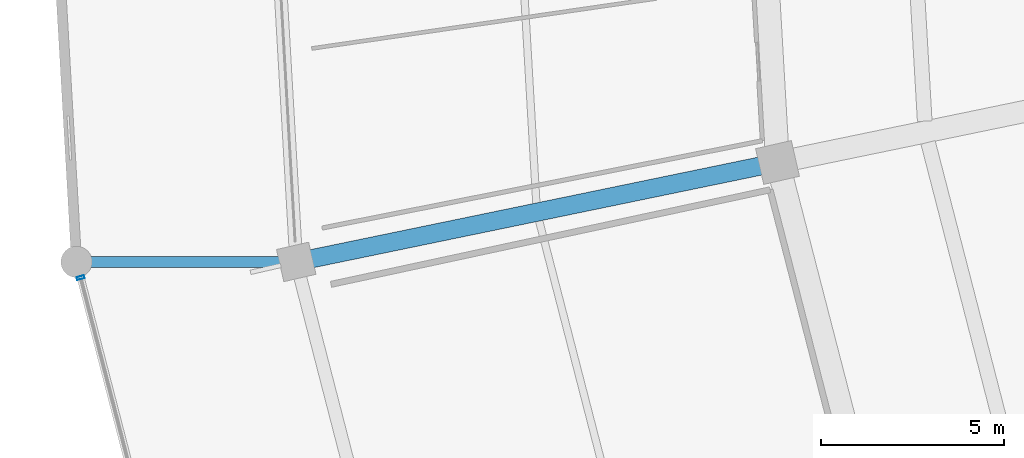
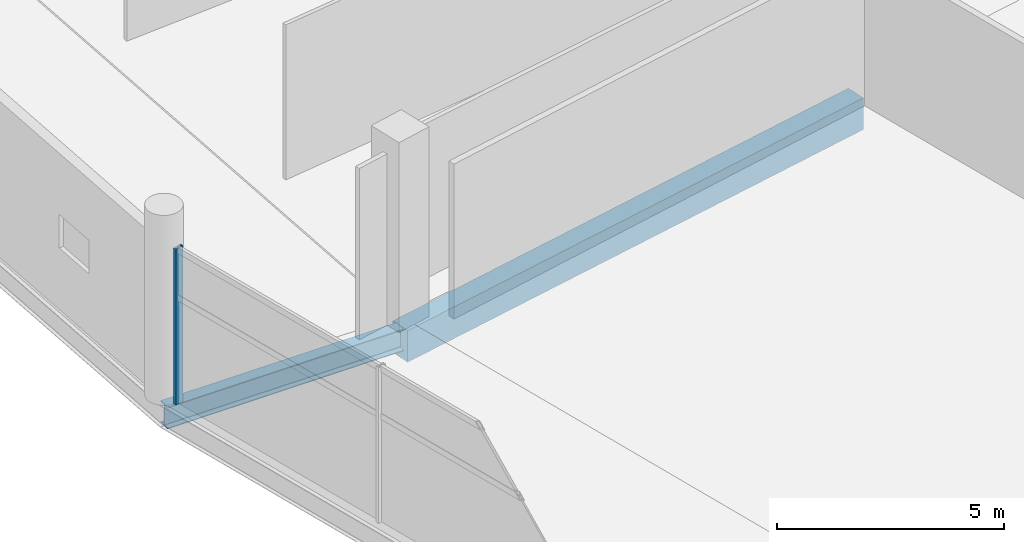
# One storey, part 34 of 184: 2 beams, 1 member, 1 element without a shape of its own.
"""IFC4 building model written with IfcOpenShell, lengths in metres."""

from ifc_helpers import new_model, si_unit, direction, frame, origin, origin_2d, place, context, subcontext, project, spatial, rectangle, hollow_rectangle, i_section, extrude, material, layer, layer_set, material_profile, profile_set, type_object, element, aggregate, save


model = new_model("IFC4")

# Units and contexts
model_context = context("Model", 3, precision=1e-05, world=origin(), true_north=direction((0.0, 1.0)))
body_context = subcontext(model_context, "Body", "Model", "MODEL_VIEW")
ifc_project = project(units=[si_unit("LENGTHUNIT", "METRE"), si_unit("AREAUNIT", "SQUARE_METRE"), si_unit("VOLUMEUNIT", "CUBIC_METRE"), si_unit("PLANEANGLEUNIT", "RADIAN"), si_unit("MASSUNIT", "GRAM", prefix="KILO")], contexts=[model_context])

# Site, building, storey
site_placement = place(None, origin())
site = spatial("IfcSite", under=ifc_project, at=site_placement, CompositionType="ELEMENT")
building_placement = place(site_placement, origin())
building = spatial("IfcBuilding", under=site, at=building_placement, Name="Kazemori Nagisa Stadium", CompositionType="ELEMENT")
storey_placement = place(building_placement, frame((0.0, 0.0, 10.5400390625)))
storey = spatial("IfcBuildingStorey", under=building, at=storey_placement, Name="L02", CompositionType="ELEMENT", Elevation=10.5400390625)

# Beams
ifc_material_1 = material(Name="Steel SN490B", Category="steel")
ifc_material_profile_1 = material_profile(ifc_material_1, i_section(OverallWidth=0.300048828125, OverallDepth=0.587890625, WebThickness=0.011962890625, FlangeThickness=0.02001953125, FilletRadius=0.012939453125, at=origin_2d()), Name="H-588x300x12x20")
ifc_profile_set_1 = profile_set([ifc_material_profile_1], Name="Steel SN490B")
beam_type_1 = type_object("IfcBeamType", Name="Beam_BG-H588", PredefinedType="BEAM", material=ifc_profile_set_1)
beam_1_placement = place(storey_placement, frame((29.119140625, 82.602294921875, -0.553955078125), z_axis=(-1.0, 0.0, 0.0), x_axis=(0.0, -1.0, 0.0)))
element("IfcBeam", 1, at=beam_1_placement, inside=storey, type_object=beam_type_1, Name="Boulevard radial girder BG-H588 L02 R4-16", PredefinedType="BEAM", context=body_context, shape_type="SweptSolid", body=[
    extrude(i_section(OverallWidth=0.300048828125, OverallDepth=0.587890625, WebThickness=0.011962890625, FlangeThickness=0.02001953125, FilletRadius=0.012939453125, at=origin_2d()), origin(), (0.0, 0.0, 1.0), 6.0),
])
ifc_material_2 = material(Name="Concrete C40/50 (Fc42)", Category="concrete")
ifc_material_profile_2 = material_profile(ifc_material_2, rectangle(XDim=0.5, YDim=0.85009765625, at=origin_2d()), Name="RC-BM-500x850")
ifc_profile_set_2 = profile_set([ifc_material_profile_2], Name="Concrete C40/50 (Fc42)")
beam_type_2 = type_object("IfcBeamType", Name="Beam_BG-RC500X850", PredefinedType="BEAM", material=ifc_profile_set_2)
beam_2_placement = place(storey_placement, frame((42.262451171875, 85.31787109375, -0.68505859375), z_axis=(-0.979315516463, -0.202339119339, 0.0), x_axis=(0.202339119339, -0.979315516463, 0.0)))
element("IfcBeam", 2, at=beam_2_placement, inside=storey, type_object=beam_type_2, Name="Radial girder BG-RC500X850 L02 R2-R3-16", PredefinedType="BEAM", context=body_context, shape_type="SweptSolid", body=[
    extrude(rectangle(XDim=0.5, YDim=0.85009765625, at=origin_2d()), origin(), (0.0, 0.0, 1.0), 13.4208984375),
])

# Curtain wall, member
ifc_material_3 = material(Name="Anodised aluminium 6063-T5", Category="aluminium")
ifc_layer = layer(ifc_material_3, 0.2099609375, Name="Anodised aluminium 6063-T5", Category="aluminium")
ifc_layer_set = layer_set([ifc_layer], Name="Anodised aluminium 6063-T5")
curtain_wall_type = type_object("IfcCurtainWallType", Name="CW_L02R3_96", PredefinedType="USERDEFINED", material=ifc_layer_set)
curtain_wall_placement = place(storey_placement, origin())
curtain_wall = element("IfcCurtainWall", 3, at=curtain_wall_placement, inside=storey, type_object=curtain_wall_type, Name="Unitised curtain wall CW-L02R3-96 L02", ObjectType="UNITISED CURTAIN WALL", PredefinedType="USERDEFINED")
ifc_material_4 = material(Name="Aluminium 6063-T5 anodised", Category="aluminium")
ifc_material_profile_3 = material_profile(ifc_material_4, hollow_rectangle(XDim=0.080078125, YDim=0.2099609375, WallThickness=0.0048828125, at=origin_2d()), Name="ALU-MULL-80x210x5")
ifc_profile_set_3 = profile_set([ifc_material_profile_3], Name="Aluminium 6063-T5 anodised")
member_type = type_object("IfcMemberType", Name="Mullion_M02", PredefinedType="MULLION", material=ifc_profile_set_3)
member_placement = place(storey_placement, frame((23.23046875, 82.17138671875, 0.0), z_axis=(0.0, 0.0, 1.0), x_axis=(0.249964642418, -0.968254965152, 0.0)))
member = element("IfcMember", 4, at=member_placement, type_object=member_type, Name="Curtain wall mullion CW-L02R3-96-M1", PredefinedType="MULLION", context=body_context, shape_type="SweptSolid", body=[
    extrude(hollow_rectangle(XDim=0.080078125, YDim=0.2099609375, WallThickness=0.0048828125, at=origin_2d()), origin(), (0.0, 0.0, 1.0), 4.18994140625),
])
aggregate(curtain_wall, [member])

save(model, "model.ifc")
